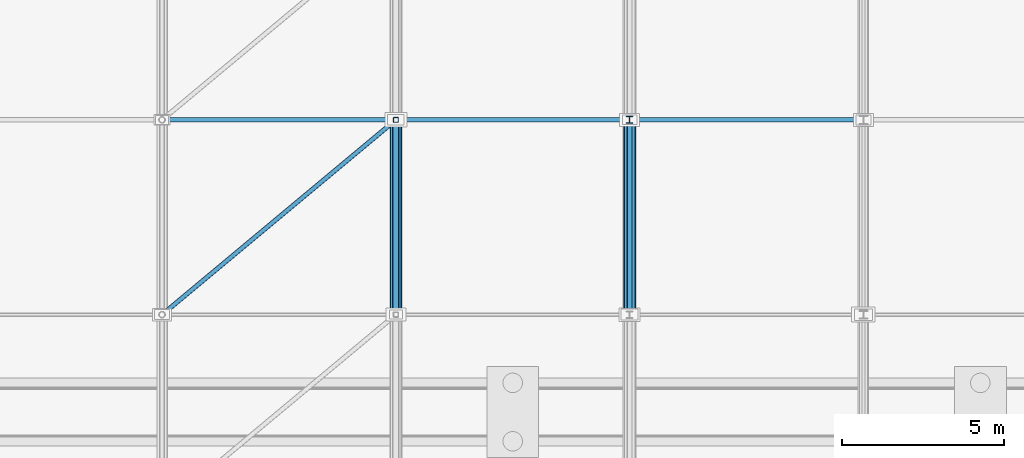
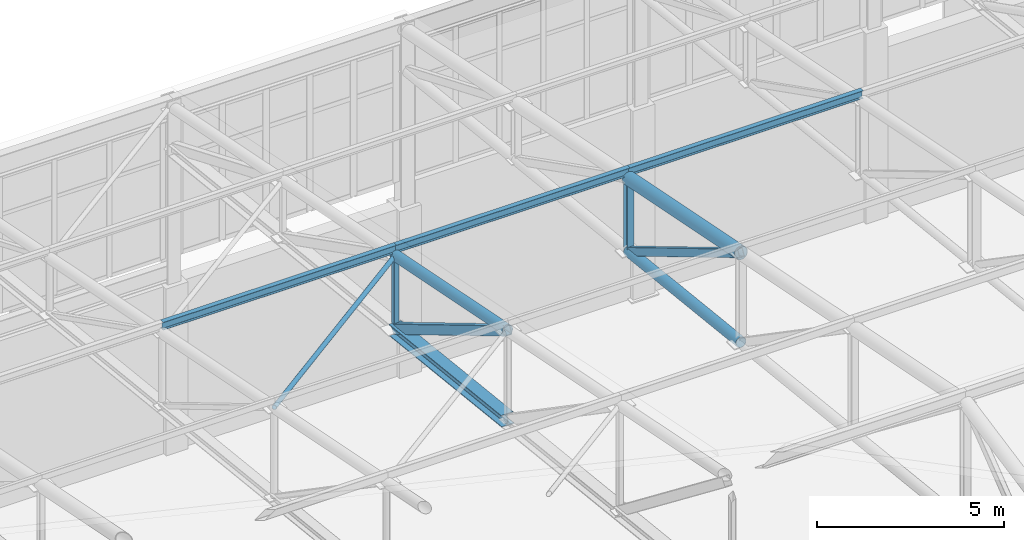
# One storey, part 212 of 293: 12 members.
"""IFC4 building model written with IfcOpenShell, lengths in metres."""

import ifcopenshell
import ifcopenshell.guid

model = None  # the IFC model being written
_history = None  # IfcOwnerHistory: only IFC2X3 demands one
_inside = {}  # id of a spatial element -> (the spatial element, [elements in it])
_under = {}  # id of a project, library or spatial element -> (it, [spatial elements below it])
_declared = {}  # id of a project -> (the project, [libraries it declares])
_typed = {}  # id of a type object -> (the type object, [elements of that type])
_made_of = {}  # id of a material, layer set ... -> (it, [elements and type objects made of it])


def new_model(schema):
    """Start an empty IFC model of exactly this schema.

    Asked for "IFC4X3", IfcOpenShell would pick the latest addendum, in which some entities
    have other attributes; the version numbers below select the first issue.
    IFC2X3 requires an IfcOwnerHistory on every rooted entity: one is made here for all.
    """
    global model, _history
    if schema == "IFC4X3":
        model = ifcopenshell.file(schema_version=(4, 3, 0, 0))
    else:
        model = ifcopenshell.file(schema=schema)
    _inside.clear()
    _under.clear()
    _declared.clear()
    _typed.clear()
    _made_of.clear()
    _history = None
    if model.schema == "IFC2X3":
        org = make("IfcOrganization", Name="unknown")
        user = make(
            "IfcPersonAndOrganization",
            ThePerson=make("IfcPerson", FamilyName="unknown"),
            TheOrganization=org,
        )
        app = make(
            "IfcApplication",
            ApplicationDeveloper=org,
            Version="unknown",
            ApplicationFullName="unknown",
            ApplicationIdentifier="unknown",
        )
        _history = make(
            "IfcOwnerHistory",
            OwningUser=user,
            OwningApplication=app,
            ChangeAction="ADDED",
            CreationDate=0,
        )
    return model


def make(cls, **values):
    """One entity of the class cls with the attributes given. An attribute that is None is left unset."""
    return model.create_entity(
        cls, **{name: value for name, value in values.items() if value is not None}
    )


def rooted(cls, **values):
    """An entity with a GlobalId (a new one), such as an element, a storey or a relation."""
    return make(cls, GlobalId=ifcopenshell.guid.new(), OwnerHistory=_history, **values)


def si_unit(unit_type, name, prefix=None):
    """IfcSIUnit, for example si_unit("LENGTHUNIT", "METRE", prefix="MILLI")."""
    return make("IfcSIUnit", UnitType=unit_type, Prefix=prefix, Name=name)


def assignment(units):
    """IfcUnitAssignment: the units of a project."""
    return None if units is None else make("IfcUnitAssignment", Units=units)


def point(xyz):
    """IfcCartesianPoint."""
    return None if xyz is None else make("IfcCartesianPoint", Coordinates=xyz)


def direction(xyz):
    """IfcDirection."""
    return None if xyz is None else make("IfcDirection", DirectionRatios=xyz)


def frame(location, z_axis=None, x_axis=None):
    """IfcAxis2Placement3D, a coordinate frame: its origin and axes. An axis left out is left unset."""
    return make(
        "IfcAxis2Placement3D",
        Location=point(location),
        Axis=direction(z_axis),
        RefDirection=direction(x_axis),
    )


def frame_2d(location, x_axis=None):
    """IfcAxis2Placement2D, a coordinate frame in the plane: its origin and x axis."""
    return make(
        "IfcAxis2Placement2D", Location=point(location), RefDirection=direction(x_axis)
    )


def origin():
    """The frame at (0, 0, 0) with its axes left unset."""
    return frame((0.0, 0.0, 0.0))


def origin_2d():
    """The frame at (0, 0) in the plane with its x axis left unset."""
    return frame_2d((0.0, 0.0))


def place(relative_to, where):
    """IfcLocalPlacement: puts the frame where relative to a parent placement (None: the world)."""
    return make(
        "IfcLocalPlacement", PlacementRelTo=relative_to, RelativePlacement=where
    )


def context(
    kind, dimensions, precision=None, world=None, true_north=None, identifier=None
):
    """IfcGeometricRepresentationContext, for example the 3D "Model" context."""
    return make(
        "IfcGeometricRepresentationContext",
        ContextIdentifier=identifier,
        ContextType=kind,
        CoordinateSpaceDimension=dimensions,
        Precision=precision,
        WorldCoordinateSystem=world,
        TrueNorth=true_north,
    )


def subcontext(parent, identifier, kind, view, scale=None):
    """IfcGeometricRepresentationSubContext, for example "Body" below "Model"."""
    return make(
        "IfcGeometricRepresentationSubContext",
        ContextIdentifier=identifier,
        ContextType=kind,
        ParentContext=parent,
        TargetScale=scale,
        TargetView=view,
    )


def project(units=None, contexts=None):
    """IfcProject with its units and contexts."""
    return rooted(
        "IfcProject",
        Name="project",
        RepresentationContexts=contexts,
        UnitsInContext=assignment(units),
    )


def spatial(cls, under=None, at=None, **own):
    """A site, building, storey or space (cls), placed at a placement, below another one or the project."""
    s = rooted(cls, ObjectPlacement=at, **own)
    if under is not None:
        _under.setdefault(under.id(), (under, []))[1].append(s)
    return s


def profile(cls, at=None, kind="AREA", **sizes):
    """A parametric profile (cls). Its sizes go by their IFC names, for example OverallWidth=200.0."""
    return make(cls, ProfileType=kind, Position=at, **sizes)


def hollow_rectangle(**sizes):
    """IfcRectangleHollowProfileDef."""
    return profile("IfcRectangleHollowProfileDef", **sizes)


def hollow_circle(**sizes):
    """IfcCircleHollowProfileDef."""
    return profile("IfcCircleHollowProfileDef", **sizes)


def i_section(**sizes):
    """IfcIShapeProfileDef."""
    return profile("IfcIShapeProfileDef", **sizes)


def extrude(swept, where, along, depth):
    """IfcExtrudedAreaSolid: the profile swept, set in the frame where, extruded along a direction by depth."""
    return make(
        "IfcExtrudedAreaSolid",
        SweptArea=swept,
        Position=where,
        ExtrudedDirection=direction(along),
        Depth=depth,
    )


def shape(context_of_items, identifier, shape_type, items):
    """IfcShapeRepresentation: the items that make up one representation, for example the "Body"."""
    return make(
        "IfcShapeRepresentation",
        ContextOfItems=context_of_items,
        RepresentationIdentifier=identifier,
        RepresentationType=shape_type,
        Items=items,
    )


def material(Name=None, Category=None):
    """IfcMaterial."""
    return make("IfcMaterial", Name=Name, Category=Category)


def material_profile(
    of_material, cross_section, Name=None, Category=None, Priority=None
):
    """IfcMaterialProfile: a cross section and its material."""
    return make(
        "IfcMaterialProfile",
        Name=Name,
        Material=of_material,
        Profile=cross_section,
        Priority=Priority,
        Category=Category,
    )


def profile_set(profiles, Name=None, composite=None):
    """IfcMaterialProfileSet."""
    return make(
        "IfcMaterialProfileSet",
        Name=Name,
        MaterialProfiles=profiles,
        CompositeProfile=composite,
    )


def made_of(thing, what):
    """Note that an element or type object is made of a material, layer set ...; save() writes the relation."""
    if what is not None:
        _made_of.setdefault(what.id(), (what, []))[1].append(thing)
    return thing


def type_object(cls, material=None, **own):
    """A type object (cls), such as IfcWallType, which elements share."""
    return made_of(rooted(cls, **own), material)


def element(
    cls,
    number,
    at=None,
    inside=None,
    cuts=None,
    type_object=None,
    material=None,
    context=None,
    identifier="Body",
    shape_type=None,
    held_by="IfcProductDefinitionShape",
    body=None,
    shapes=None,
    **own,
):
    """One element of the class cls, such as IfcWall. Its Tag is "e" and its number.

    at: its placement. inside: the storey or other place that contains it. cuts: it is an
    opening in that element (IfcRelVoidsElement). A single representation is given by context,
    identifier, shape_type and body (its items); several are given by shapes. held_by: the class
    of the entity that holds the representations. save() writes the other relations.
    """
    e = rooted(cls, Tag="e%d" % number, ObjectPlacement=at, **own)
    if body is not None:
        shapes = [shape(context, identifier, shape_type, body)]
    if shapes is not None:
        e.Representation = make(held_by, Representations=shapes)
    if inside is not None:
        _inside.setdefault(inside.id(), (inside, []))[1].append(e)
    if cuts is not None:
        rooted(
            "IfcRelVoidsElement", RelatingBuildingElement=cuts, RelatedOpeningElement=e
        )
    if type_object is not None:
        _typed.setdefault(type_object.id(), (type_object, []))[1].append(e)
    return made_of(e, material)


def aggregate(whole, parts):
    """IfcRelAggregates: a whole, such as a stair, and the parts it consists of."""
    return rooted("IfcRelAggregates", RelatingObject=whole, RelatedObjects=parts)


def save(model, path):
    """Write the relations noted so far, then the file.

    IfcRelAggregates (storeys below a building ...), IfcRelContainedInSpatialStructure (elements
    in a storey), IfcRelDefinesByType, IfcRelAssociatesMaterial and IfcRelDeclares: one each for
    every whole, place, type object, material and project.
    """
    for whole, parts in _under.values():
        aggregate(whole, parts)
    for where, things in _inside.values():
        rooted(
            "IfcRelContainedInSpatialStructure",
            RelatedElements=things,
            RelatingStructure=where,
        )
    for kind, things in _typed.values():
        rooted("IfcRelDefinesByType", RelatedObjects=things, RelatingType=kind)
    for what, things in _made_of.values():
        rooted("IfcRelAssociatesMaterial", RelatedObjects=things, RelatingMaterial=what)
    for by, libraries in _declared.values():
        rooted("IfcRelDeclares", RelatingContext=by, RelatedDefinitions=libraries)
    model.write(path)


model = new_model("IFC4")

# Units and contexts
model_context = context("Model", 3, precision=1e-05, world=origin(), true_north=direction((0.0, 1.0)))
body_context = subcontext(model_context, "Body", "Model", "MODEL_VIEW")
ifc_project = project(units=[si_unit("LENGTHUNIT", "METRE"), si_unit("AREAUNIT", "SQUARE_METRE"), si_unit("VOLUMEUNIT", "CUBIC_METRE"), si_unit("PLANEANGLEUNIT", "RADIAN"), si_unit("MASSUNIT", "GRAM", prefix="KILO")], contexts=[model_context])

# Site, building, storey
site_placement = place(None, origin())
site = spatial("IfcSite", under=ifc_project, at=site_placement, CompositionType="ELEMENT")
building_placement = place(site_placement, origin())
building = spatial("IfcBuilding", under=site, at=building_placement, Name="Kemerveld Promenade Tramway Depot", CompositionType="ELEMENT")
storey_placement = place(building_placement, origin())
storey = spatial("IfcBuildingStorey", under=building, at=storey_placement, Name="L00", CompositionType="ELEMENT", Elevation=0.0)

# Members
ifc_material = material(Name="Steel S355", Category="steel")
ifc_material_profile_1 = material_profile(ifc_material, hollow_rectangle(XDim=0.199951171875, YDim=0.300048828125, WallThickness=0.012451171875, InnerFilletRadius=0.00634765625, OuterFilletRadius=0.018798828125, at=origin_2d()), Name="300x200x12.5 RHS")
ifc_profile_set_1 = profile_set([ifc_material_profile_1], Name="Steel S355")
member_type_1 = type_object("IfcMemberType", Name="MB-M01", PredefinedType="BRACE", material=ifc_profile_set_1)
member_1_placement = place(storey_placement, frame((115.199951171875, 132.0, 11.1201171875), z_axis=(0.0, -0.8587636701, 0.512371895128), x_axis=(1.0, 0.0, 0.0)))
element("IfcMember", 1, at=member_1_placement, inside=storey, type_object=member_type_1, Name="TR-17-DG-08", PredefinedType="BRACE", context=body_context, shape_type="SweptSolid", body=[
    extrude(hollow_rectangle(XDim=0.199951171875, YDim=0.300048828125, WallThickness=0.012451171875, InnerFilletRadius=0.00634765625, OuterFilletRadius=0.018798828125, at=origin_2d()), origin(), (0.0, 0.0, 1.0), 6.98681640625),
])
ifc_material_profile_2 = material_profile(ifc_material, hollow_rectangle(XDim=0.14990234375, YDim=0.25, WallThickness=0.010009765625, InnerFilletRadius=0.0048828125, OuterFilletRadius=0.014892578125, at=origin_2d()), Name="250x150x10.0 RHS")
ifc_profile_set_2 = profile_set([ifc_material_profile_2], Name="Steel S355")
member_type_2 = type_object("IfcMemberType", Name="MB-M02", PredefinedType="BRACE", material=ifc_profile_set_2)
member_2_placement = place(storey_placement, frame((122.39990234375, 132.0, 11.1201171875), z_axis=(0.0, -0.8587636701, 0.512371895128), x_axis=(1.0, 0.0, 0.0)))
element("IfcMember", 2, at=member_2_placement, inside=storey, type_object=member_type_2, Name="TR-18-DG-08", PredefinedType="BRACE", context=body_context, shape_type="SweptSolid", body=[
    extrude(hollow_rectangle(XDim=0.14990234375, YDim=0.25, WallThickness=0.010009765625, InnerFilletRadius=0.0048828125, OuterFilletRadius=0.014892578125, at=origin_2d()), origin(), (0.0, 0.0, 1.0), 6.98681640625),
])
ifc_material_profile_3 = material_profile(ifc_material, i_section(OverallWidth=0.37255859375, OverallDepth=0.3681640625, WebThickness=0.014404296875, FlangeThickness=0.023681640625, FilletRadius=0.01513671875, at=origin_2d()), Name="356x368x177 UC")
ifc_profile_set_3 = profile_set([ifc_material_profile_3], Name="Steel S355")
member_type_3 = type_object("IfcMemberType", Name="MB-M08", PredefinedType="CHORD", material=ifc_profile_set_3)
member_3_placement = place(storey_placement, frame((115.199951171875, 126.0, 11.780029296875), z_axis=(0.0, 0.994005938353, -0.109326092585), x_axis=(-1.0, 0.0, 0.0)))
element("IfcMember", 3, at=member_3_placement, inside=storey, type_object=member_type_3, Name="TR-17-BC-08", PredefinedType="CHORD", context=body_context, shape_type="SweptSolid", body=[
    extrude(i_section(OverallWidth=0.37255859375, OverallDepth=0.3681640625, WebThickness=0.014404296875, FlangeThickness=0.023681640625, FilletRadius=0.01513671875, at=origin_2d()), origin(), (0.0, 0.0, 1.0), 6.0361328125),
])
ifc_material_profile_4 = material_profile(ifc_material, i_section(OverallWidth=0.146484375, OverallDepth=0.256103515625, WebThickness=0.00634765625, FlangeThickness=0.010986328125, FilletRadius=0.007568359375, at=origin_2d()), Name="254x146x37 UB")
ifc_profile_set_4 = profile_set([ifc_material_profile_4], Name="Steel S355")
member_type_4 = type_object("IfcMemberType", Name="MB-PR3", PredefinedType="PURLIN", material=ifc_profile_set_4)
for number, where, z_axis, x_axis, name in (
    (4, (108.0, 132.0, 13.7451171875), (1.0, 0.0, 0.0), (0.0, 1.0, 0.0), "PUR-V1-08-16"),
    (5, (115.199951171875, 132.0, 13.7451171875), (1.0, 0.0, 0.0), (0.0, 1.0, 0.0), "PUR-V1-08-17"),
):
    element("IfcMember", number, at=place(storey_placement, frame(where, z_axis=z_axis, x_axis=x_axis)), inside=storey, type_object=member_type_4, Name=name, PredefinedType="PURLIN", context=body_context, shape_type="SweptSolid", body=[
        extrude(i_section(OverallWidth=0.146484375, OverallDepth=0.256103515625, WebThickness=0.00634765625, FlangeThickness=0.010986328125, FilletRadius=0.007568359375, at=origin_2d()), origin(), (0.0, 0.0, 1.0), 7.199951171875),
    ])
member_4_placement = place(storey_placement, frame((122.39990234375, 132.0, 13.7451171875), z_axis=(1.0, 0.0, 0.0), x_axis=(0.0, 1.0, 0.0)))
element("IfcMember", 6, at=member_4_placement, inside=storey, type_object=member_type_4, Name="PUR-V1-08-18", PredefinedType="PURLIN", context=body_context, shape_type="SweptSolid", body=[
    extrude(i_section(OverallWidth=0.146484375, OverallDepth=0.256103515625, WebThickness=0.00634765625, FlangeThickness=0.010986328125, FilletRadius=0.007568359375, at=origin_2d()), origin(), (0.0, 0.0, 1.0), 7.2001953125),
])
ifc_material_profile_5 = material_profile(ifc_material, hollow_circle(Radius=0.06982421875, WallThickness=0.00634765625, at=origin_2d()), Name="139.7x6.3 CHS")
ifc_profile_set_5 = profile_set([ifc_material_profile_5], Name="Steel S355")
member_type_5 = type_object("IfcMemberType", Name="MB-TB3", PredefinedType="BRACE", material=ifc_profile_set_5)
member_5_placement = place(storey_placement, frame((108.0, 126.0, 14.699951171875), z_axis=(0.761999094998, 0.635003552225, -0.126995542773), x_axis=(-0.640186961885, 0.768219144407, 0.0)))
element("IfcMember", 7, at=member_5_placement, inside=storey, type_object=member_type_5, Name="RBR-V1-07-16", PredefinedType="BRACE", context=body_context, shape_type="SweptSolid", body=[
    extrude(hollow_circle(Radius=0.06982421875, WallThickness=0.00634765625, at=origin_2d()), origin(), (0.0, 0.0, 1.0), 9.44873046875),
])
ifc_material_profile_6 = material_profile(ifc_material, hollow_circle(Radius=0.203125, WallThickness=0.01611328125, at=origin_2d()), Name="406.4x16.0 CHS")
ifc_profile_set_6 = profile_set([ifc_material_profile_6], Name="Steel S355")
member_type_6 = type_object("IfcMemberType", Name="MB-TC1", PredefinedType="CHORD", material=ifc_profile_set_6)
member_6_placement = place(storey_placement, frame((122.39990234375, 126.0, 14.699951171875), z_axis=(0.0, 0.980582210276, -0.196108462057), x_axis=(-1.0, 0.0, 0.0)))
element("IfcMember", 8, at=member_6_placement, inside=storey, type_object=member_type_6, Name="TR-18-TC-08", PredefinedType="CHORD", context=body_context, shape_type="SweptSolid", body=[
    extrude(hollow_circle(Radius=0.203125, WallThickness=0.01611328125, at=origin_2d()), origin(), (0.0, 0.0, 1.0), 6.118896484375),
])
ifc_material_profile_7 = material_profile(ifc_material, hollow_circle(Radius=0.161865234375, WallThickness=0.012451171875, at=origin_2d()), Name="323.9x12.5 CHS")
ifc_profile_set_7 = profile_set([ifc_material_profile_7], Name="Steel S355")
member_type_7 = type_object("IfcMemberType", Name="MB-TC2", PredefinedType="CHORD", material=ifc_profile_set_7)
member_7_placement = place(storey_placement, frame((115.199951171875, 126.0, 14.699951171875), z_axis=(0.0, 0.980582210276, -0.196108462057), x_axis=(-1.0, 0.0, 0.0)))
element("IfcMember", 9, at=member_7_placement, inside=storey, type_object=member_type_7, Name="TR-17-TC-08", PredefinedType="CHORD", context=body_context, shape_type="SweptSolid", body=[
    extrude(hollow_circle(Radius=0.161865234375, WallThickness=0.012451171875, at=origin_2d()), origin(), (0.0, 0.0, 1.0), 6.118896484375),
])
member_8_placement = place(storey_placement, frame((122.39990234375, 126.0, 11.780029296875), z_axis=(0.0, 0.994005938353, -0.109326092585), x_axis=(-1.0, 0.0, 0.0)))
element("IfcMember", 10, at=member_8_placement, inside=storey, type_object=member_type_7, Name="TR-18-BC-08", PredefinedType="CHORD", context=body_context, shape_type="SweptSolid", body=[
    extrude(hollow_circle(Radius=0.161865234375, WallThickness=0.012451171875, at=origin_2d()), origin(), (0.0, 0.0, 1.0), 6.0361328125),
])
ifc_material_profile_8 = material_profile(ifc_material, hollow_rectangle(XDim=0.14990234375, YDim=0.14990234375, WallThickness=0.008056640625, InnerFilletRadius=0.00390625, OuterFilletRadius=0.011962890625, at=origin_2d()), Name="150x150x8.0 SHS")
ifc_profile_set_8 = profile_set([ifc_material_profile_8], Name="Steel S355")
member_type_8 = type_object("IfcMemberType", Name="MB-TP2", PredefinedType="POST", material=ifc_profile_set_8)
member_9_placement = place(storey_placement, frame((115.199951171875, 132.0, 11.1201171875), z_axis=(0.0, 0.0, 1.0), x_axis=(1.0, 0.0, 0.0)))
element("IfcMember", 11, at=member_9_placement, inside=storey, type_object=member_type_8, Name="TR-17-VT-08", PredefinedType="POST", context=body_context, shape_type="SweptSolid", body=[
    extrude(hollow_rectangle(XDim=0.14990234375, YDim=0.14990234375, WallThickness=0.008056640625, InnerFilletRadius=0.00390625, OuterFilletRadius=0.011962890625, at=origin_2d()), origin(), (0.0, 0.0, 1.0), 2.3798828125),
])
ifc_material_profile_9 = material_profile(ifc_material, i_section(OverallWidth=0.205810546875, OverallDepth=0.209716796875, WebThickness=0.009521484375, FlangeThickness=0.01416015625, FilletRadius=0.01025390625, at=origin_2d()), Name="203x203x60 UC")
ifc_profile_set_9 = profile_set([ifc_material_profile_9], Name="Steel S355")
member_type_9 = type_object("IfcMemberType", Name="MB-TP3", PredefinedType="POST", material=ifc_profile_set_9)
member_10_placement = place(storey_placement, frame((122.39990234375, 132.0, 11.1201171875), z_axis=(0.0, 0.0, 1.0), x_axis=(1.0, 0.0, 0.0)))
element("IfcMember", 12, at=member_10_placement, inside=storey, type_object=member_type_9, Name="TR-18-VT-08", PredefinedType="POST", context=body_context, shape_type="SweptSolid", body=[
    extrude(i_section(OverallWidth=0.205810546875, OverallDepth=0.209716796875, WebThickness=0.009521484375, FlangeThickness=0.01416015625, FilletRadius=0.01025390625, at=origin_2d()), origin(), (0.0, 0.0, 1.0), 2.3798828125),
])

save(model, "model.ifc")
